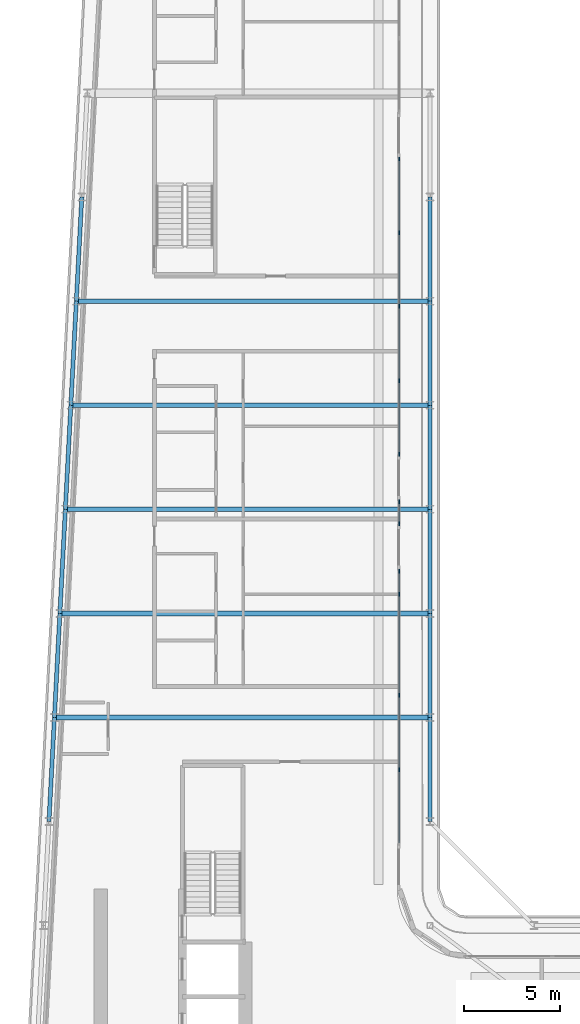
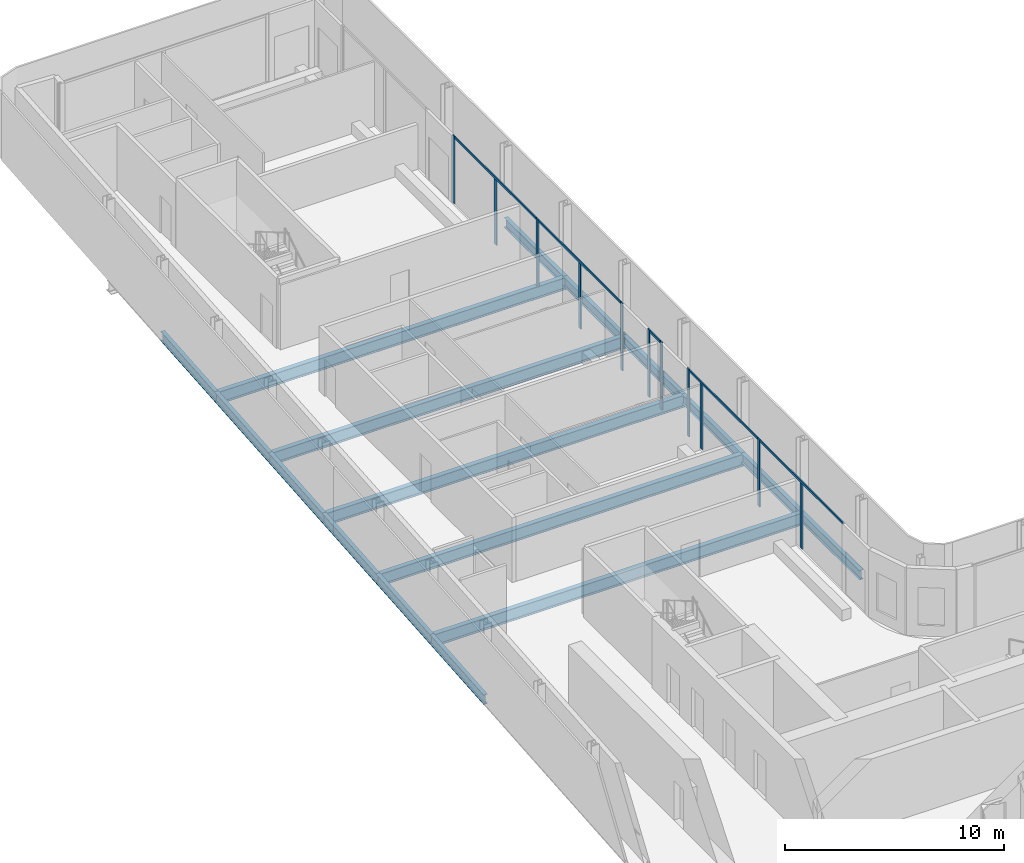
# One storey, part 6 of 22: 17 beams, 16 members, 5 elements without a shape of their own.
"""IFC4 building model written with IfcOpenShell, lengths in metres."""

from ifc_helpers import new_model, si_unit, direction, frame, origin, origin_2d, place, context, subcontext, project, spatial, rectangle, i_section, extrude, material, layer, layer_set, material_profile, profile_set, type_object, element, aggregate, save


model = new_model("IFC4")

# Units and contexts
model_context = context("Model", 3, precision=1e-05, world=origin(), true_north=direction((0.0, 1.0)))
body_context = subcontext(model_context, "Body", "Model", "MODEL_VIEW")
ifc_project = project(units=[si_unit("LENGTHUNIT", "METRE"), si_unit("AREAUNIT", "SQUARE_METRE"), si_unit("VOLUMEUNIT", "CUBIC_METRE"), si_unit("PLANEANGLEUNIT", "RADIAN"), si_unit("MASSUNIT", "GRAM", prefix="KILO")], contexts=[model_context])

# Site, building, storey
site_placement = place(None, origin())
site = spatial("IfcSite", under=ifc_project, at=site_placement, CompositionType="ELEMENT")
building_placement = place(site_placement, origin())
building = spatial("IfcBuilding", under=site, at=building_placement, Name="Kheshtan School and Residences Tower", CompositionType="ELEMENT")
storey_placement = place(building_placement, frame((0.0, 0.0, 255.199951171875)))
storey = spatial("IfcBuildingStorey", under=building, at=storey_placement, Name="L60", CompositionType="ELEMENT", Elevation=255.199951171875)

# Beams
ifc_material_1 = material(Name="Steel ASTM A992 Grade 50", Category="steel")
ifc_material_profile_1 = material_profile(ifc_material_1, i_section(OverallWidth=0.2529296875, OverallDepth=0.677978515625, WebThickness=0.01171875, FlangeThickness=0.016357421875, FilletRadius=0.0146484375, at=origin_2d()), Name="W690x125")
ifc_profile_set_1 = profile_set([ifc_material_profile_1], Name="Steel ASTM A992 Grade 50")
beam_type_1 = type_object("IfcBeamType", Name="Beam FB6 W690x125 ASTM A992 Grade 50", PredefinedType="BEAM", material=ifc_profile_set_1)
beam_1_placement = place(storey_placement, frame((47.60009765625, 78.0, -0.489013671875), z_axis=(-1.0, 0.0, 0.0), x_axis=(0.0, -1.0, 0.0)))
element("IfcBeam", 1, at=beam_1_placement, inside=storey, type_object=beam_type_1, Name="Floor beam C089", PredefinedType="BEAM", context=body_context, shape_type="SweptSolid", body=[
    extrude(i_section(OverallWidth=0.2529296875, OverallDepth=0.677978515625, WebThickness=0.01171875, FlangeThickness=0.016357421875, FilletRadius=0.0146484375, at=origin_2d()), origin(), (0.0, 0.0, 1.0), 18.357177734375),
])
beam_2_placement = place(storey_placement, frame((47.60009765625, 67.199951171875, -0.489013671875), z_axis=(-1.0, 0.0, 0.0), x_axis=(0.0, -1.0, 0.0)))
element("IfcBeam", 2, at=beam_2_placement, inside=storey, type_object=beam_type_1, Name="Floor beam C085", PredefinedType="BEAM", context=body_context, shape_type="SweptSolid", body=[
    extrude(i_section(OverallWidth=0.2529296875, OverallDepth=0.677978515625, WebThickness=0.01171875, FlangeThickness=0.016357421875, FilletRadius=0.0146484375, at=origin_2d()), origin(), (0.0, 0.0, 1.0), 18.926025390625),
])
beam_3_placement = place(storey_placement, frame((47.60009765625, 56.39990234375, -0.489013671875), z_axis=(-1.0, 0.0, 0.0), x_axis=(0.0, -1.0, 0.0)))
element("IfcBeam", 3, at=beam_3_placement, inside=storey, type_object=beam_type_1, Name="Floor beam C081", PredefinedType="BEAM", context=body_context, shape_type="SweptSolid", body=[
    extrude(i_section(OverallWidth=0.2529296875, OverallDepth=0.677978515625, WebThickness=0.01171875, FlangeThickness=0.016357421875, FilletRadius=0.0146484375, at=origin_2d()), origin(), (0.0, 0.0, 1.0), 19.494140625),
])
beam_4_placement = place(storey_placement, frame((28.389892578125, 61.800048828125, -0.489013671875), z_axis=(1.0, 0.0, 0.0), x_axis=(0.0, 1.0, 0.0)))
element("IfcBeam", 4, at=beam_4_placement, inside=storey, type_object=beam_type_1, Name="Floor beam C082", PredefinedType="BEAM", context=body_context, shape_type="SweptSolid", body=[
    extrude(i_section(OverallWidth=0.2529296875, OverallDepth=0.677978515625, WebThickness=0.01171875, FlangeThickness=0.016357421875, FilletRadius=0.0146484375, at=origin_2d()), origin(), (0.0, 0.0, 1.0), 19.210205078125),
])
beam_5_placement = place(storey_placement, frame((28.9580078125, 72.60009765625, -0.489013671875), z_axis=(1.0, 0.0, 0.0), x_axis=(0.0, 1.0, 0.0)))
element("IfcBeam", 5, at=beam_5_placement, inside=storey, type_object=beam_type_1, Name="Floor beam C086", PredefinedType="BEAM", context=body_context, shape_type="SweptSolid", body=[
    extrude(i_section(OverallWidth=0.2529296875, OverallDepth=0.677978515625, WebThickness=0.01171875, FlangeThickness=0.016357421875, FilletRadius=0.0146484375, at=origin_2d()), origin(), (0.0, 0.0, 1.0), 18.64208984375),
])
ifc_material_profile_2 = material_profile(ifc_material_1, i_section(OverallWidth=0.208984375, OverallDepth=0.532958984375, WebThickness=0.01025390625, FlangeThickness=0.015625, FilletRadius=0.013916015625, at=origin_2d()), Name="W530x92")
ifc_profile_set_2 = profile_set([ifc_material_profile_2], Name="Steel ASTM A992 Grade 50")
beam_type_2 = type_object("IfcBeamType", Name="Beam SP3 W530x92 ASTM A992 Grade 50", PredefinedType="BEAM", material=ifc_profile_set_2)
for number, where, z_axis, x_axis, name in (
    (6, (47.60009765625, 83.39990234375, -0.41650390625), (0.0, -1.0, 0.0), (1.0, 0.0, 0.0), "Spandrel beam C091-C089"),
    (7, (47.60009765625, 78.0, -0.41650390625), (0.0, -1.0, 0.0), (1.0, 0.0, 0.0), "Spandrel beam C089-C087"),
):
    element("IfcBeam", number, at=place(storey_placement, frame(where, z_axis=z_axis, x_axis=x_axis)), inside=storey, type_object=beam_type_2, Name=name, PredefinedType="BEAM", context=body_context, shape_type="SweptSolid", body=[
        extrude(i_section(OverallWidth=0.208984375, OverallDepth=0.532958984375, WebThickness=0.01025390625, FlangeThickness=0.015625, FilletRadius=0.013916015625, at=origin_2d()), origin(), (0.0, 0.0, 1.0), 5.39990234375),
    ])
beam_6_placement = place(storey_placement, frame((47.60009765625, 72.60009765625, -0.41650390625), z_axis=(0.0, -1.0, 0.0), x_axis=(1.0, 0.0, 0.0)))
element("IfcBeam", 8, at=beam_6_placement, inside=storey, type_object=beam_type_2, Name="Spandrel beam C087-C085", PredefinedType="BEAM", context=body_context, shape_type="SweptSolid", body=[
    extrude(i_section(OverallWidth=0.208984375, OverallDepth=0.532958984375, WebThickness=0.01025390625, FlangeThickness=0.015625, FilletRadius=0.013916015625, at=origin_2d()), origin(), (0.0, 0.0, 1.0), 5.400146484375),
])
beam_7_placement = place(storey_placement, frame((47.60009765625, 67.199951171875, -0.41650390625), z_axis=(0.0, -1.0, 0.0), x_axis=(1.0, 0.0, 0.0)))
element("IfcBeam", 9, at=beam_7_placement, inside=storey, type_object=beam_type_2, Name="Spandrel beam C085-C083", PredefinedType="BEAM", context=body_context, shape_type="SweptSolid", body=[
    extrude(i_section(OverallWidth=0.208984375, OverallDepth=0.532958984375, WebThickness=0.01025390625, FlangeThickness=0.015625, FilletRadius=0.013916015625, at=origin_2d()), origin(), (0.0, 0.0, 1.0), 5.39990234375),
])
beam_8_placement = place(storey_placement, frame((47.60009765625, 61.800048828125, -0.41650390625), z_axis=(0.0, -1.0, 0.0), x_axis=(1.0, 0.0, 0.0)))
element("IfcBeam", 10, at=beam_8_placement, inside=storey, type_object=beam_type_2, Name="Spandrel beam C083-C081", PredefinedType="BEAM", context=body_context, shape_type="SweptSolid", body=[
    extrude(i_section(OverallWidth=0.208984375, OverallDepth=0.532958984375, WebThickness=0.01025390625, FlangeThickness=0.015625, FilletRadius=0.013916015625, at=origin_2d()), origin(), (0.0, 0.0, 1.0), 5.400146484375),
])
beam_9_placement = place(storey_placement, frame((47.60009765625, 56.39990234375, -0.41650390625), z_axis=(0.0, -1.0, 0.0), x_axis=(1.0, 0.0, 0.0)))
element("IfcBeam", 11, at=beam_9_placement, inside=storey, type_object=beam_type_2, Name="Spandrel beam C081-C079", PredefinedType="BEAM", context=body_context, shape_type="SweptSolid", body=[
    extrude(i_section(OverallWidth=0.208984375, OverallDepth=0.532958984375, WebThickness=0.01025390625, FlangeThickness=0.015625, FilletRadius=0.013916015625, at=origin_2d()), origin(), (0.0, 0.0, 1.0), 5.39990234375),
])
beam_10_placement = place(storey_placement, frame((27.822021484375, 51.0, -0.41650390625), z_axis=(0.05250906864, 0.998620447272, 0.0), x_axis=(-0.998620447272, 0.05250906864, 0.0)))
element("IfcBeam", 12, at=beam_10_placement, inside=storey, type_object=beam_type_2, Name="Spandrel beam C078-C080", PredefinedType="BEAM", context=body_context, shape_type="SweptSolid", body=[
    extrude(i_section(OverallWidth=0.208984375, OverallDepth=0.532958984375, WebThickness=0.01025390625, FlangeThickness=0.015625, FilletRadius=0.013916015625, at=origin_2d()), origin(), (0.0, 0.0, 1.0), 5.407470703125),
])
beam_11_placement = place(storey_placement, frame((28.10595703125, 56.39990234375, -0.41650390625), z_axis=(0.05250670125, 0.998620571751, 0.0), x_axis=(-0.998620571751, 0.05250670125, 0.0)))
element("IfcBeam", 13, at=beam_11_placement, inside=storey, type_object=beam_type_2, Name="Spandrel beam C080-C082", PredefinedType="BEAM", context=body_context, shape_type="SweptSolid", body=[
    extrude(i_section(OverallWidth=0.208984375, OverallDepth=0.532958984375, WebThickness=0.01025390625, FlangeThickness=0.015625, FilletRadius=0.013916015625, at=origin_2d()), origin(), (0.0, 0.0, 1.0), 5.40771484375),
])
beam_12_placement = place(storey_placement, frame((28.389892578125, 61.800048828125, -0.41650390625), z_axis=(0.052554093665, 0.998618078766, 0.0), x_axis=(-0.998618078766, 0.052554093665, 0.0)))
element("IfcBeam", 14, at=beam_12_placement, inside=storey, type_object=beam_type_2, Name="Spandrel beam C082-C084", PredefinedType="BEAM", context=body_context, shape_type="SweptSolid", body=[
    extrude(i_section(OverallWidth=0.208984375, OverallDepth=0.532958984375, WebThickness=0.01025390625, FlangeThickness=0.015625, FilletRadius=0.013916015625, at=origin_2d()), origin(), (0.0, 0.0, 1.0), 5.407470703125),
])
beam_13_placement = place(storey_placement, frame((28.674072265625, 67.199951171875, -0.41650390625), z_axis=(0.05250670125, 0.998620571751, 0.0), x_axis=(-0.998620571751, 0.05250670125, 0.0)))
element("IfcBeam", 15, at=beam_13_placement, inside=storey, type_object=beam_type_2, Name="Spandrel beam C084-C086", PredefinedType="BEAM", context=body_context, shape_type="SweptSolid", body=[
    extrude(i_section(OverallWidth=0.208984375, OverallDepth=0.532958984375, WebThickness=0.01025390625, FlangeThickness=0.015625, FilletRadius=0.013916015625, at=origin_2d()), origin(), (0.0, 0.0, 1.0), 5.40771484375),
])
for number, where, z_axis, x_axis, name in (
    (16, (28.9580078125, 72.60009765625, -0.41650390625), (0.052689166816, 0.998610961136, 0.0), (-0.998610961136, 0.052689166816, 0.0), "Spandrel beam C086-C088"),
    (17, (29.242919921875, 78.0, -0.41650390625), (0.052554093665, 0.998618078766, 0.0), (-0.998618078766, 0.052554093665, 0.0), "Spandrel beam C088-C090"),
):
    element("IfcBeam", number, at=place(storey_placement, frame(where, z_axis=z_axis, x_axis=x_axis)), inside=storey, type_object=beam_type_2, Name=name, PredefinedType="BEAM", context=body_context, shape_type="SweptSolid", body=[
        extrude(i_section(OverallWidth=0.208984375, OverallDepth=0.532958984375, WebThickness=0.01025390625, FlangeThickness=0.015625, FilletRadius=0.013916015625, at=origin_2d()), origin(), (0.0, 0.0, 1.0), 5.407470703125),
    ])

# Curtain wall, members
ifc_material_2 = material(Name="Clear low-e glass in thermally broken aluminium frame", Category="aluminium")
ifc_layer = layer(ifc_material_2, 0.199951171875)
ifc_layer_set = layer_set([ifc_layer], Name="Curtain wall CW-L")
curtain_wall_type = type_object("IfcCurtainWallType", Name="Curtain wall CW-L", PredefinedType="NOTDEFINED", material=ifc_layer_set)
curtain_wall_1_placement = place(storey_placement, origin())
curtain_wall_1 = element("IfcCurtainWall", 18, at=curtain_wall_1_placement, inside=storey, type_object=curtain_wall_type, Name="Curtain wall CWL8", PredefinedType="NOTDEFINED")
ifc_material_3 = material(Name="Thermally broken aluminium, dark bronze anodised", Category="aluminium")
ifc_material_profile_3 = material_profile(ifc_material_3, rectangle(XDim=0.06005859375, YDim=0.199951171875, at=origin_2d()), Name="CW-L mullion 60x200")
ifc_profile_set_3 = profile_set([ifc_material_profile_3], Name="Thermally broken aluminium, dark bronze anodised")
member_type_1 = type_object("IfcMemberType", Name="CW-L mullion 60x200", PredefinedType="MULLION", material=ifc_profile_set_3)
member_1_placement = place(storey_placement, frame((46.0, 85.3759765625, 0.0), z_axis=(0.0, 0.0, 1.0), x_axis=(1.0, 0.0, 0.0)))
member_1 = element("IfcMember", 19, at=member_1_placement, type_object=member_type_1, Name="CWL8 mullion 1", PredefinedType="MULLION", context=body_context, shape_type="SweptSolid", body=[
    extrude(rectangle(XDim=0.06005859375, YDim=0.199951171875, at=origin_2d()), origin(), (0.0, 0.0, 1.0), 3.75),
])
member_2_placement = place(storey_placement, frame((46.0, 81.55908203125, 0.0), z_axis=(0.0, 0.0, 1.0), x_axis=(1.0, 0.0, 0.0)))
member_2 = element("IfcMember", 20, at=member_2_placement, type_object=member_type_1, Name="CWL8 mullion 2", PredefinedType="MULLION", context=body_context, shape_type="SweptSolid", body=[
    extrude(rectangle(XDim=0.06005859375, YDim=0.199951171875, at=origin_2d()), origin(), (0.0, 0.0, 1.0), 3.630126953125),
])
member_3_placement = place(storey_placement, frame((46.0, 77.741943359375, 0.0), z_axis=(0.0, 0.0, 1.0), x_axis=(1.0, 0.0, 0.0)))
member_3 = element("IfcMember", 21, at=member_3_placement, type_object=member_type_1, Name="CWL8 mullion 3", PredefinedType="MULLION", context=body_context, shape_type="SweptSolid", body=[
    extrude(rectangle(XDim=0.06005859375, YDim=0.199951171875, at=origin_2d()), origin(), (0.0, 0.0, 1.0), 3.75),
])

curtain_wall_2_placement = place(storey_placement, origin())
curtain_wall_2 = element("IfcCurtainWall", 22, at=curtain_wall_2_placement, inside=storey, type_object=curtain_wall_type, Name="Curtain wall CWL8", PredefinedType="NOTDEFINED")
member_4_placement = place(storey_placement, frame((46.0, 73.864990234375, 0.0), z_axis=(0.0, 0.0, 1.0), x_axis=(1.0, 0.0, 0.0)))
member_4 = element("IfcMember", 23, at=member_4_placement, type_object=member_type_1, Name="CWL8 mullion 2", PredefinedType="MULLION", context=body_context, shape_type="SweptSolid", body=[
    extrude(rectangle(XDim=0.06005859375, YDim=0.199951171875, at=origin_2d()), origin(), (0.0, 0.0, 1.0), 3.630126953125),
])
member_5_placement = place(storey_placement, frame((46.0, 70.048095703125, 0.0), z_axis=(0.0, 0.0, 1.0), x_axis=(1.0, 0.0, 0.0)))
member_5 = element("IfcMember", 24, at=member_5_placement, type_object=member_type_1, Name="CWL8 mullion 3", PredefinedType="MULLION", context=body_context, shape_type="SweptSolid", body=[
    extrude(rectangle(XDim=0.06005859375, YDim=0.199951171875, at=origin_2d()), origin(), (0.0, 0.0, 1.0), 3.75),
])

curtain_wall_3_placement = place(storey_placement, origin())
curtain_wall_3 = element("IfcCurtainWall", 25, at=curtain_wall_3_placement, inside=storey, type_object=curtain_wall_type, Name="Curtain wall CWL8g", PredefinedType="NOTDEFINED")
member_6_placement = place(storey_placement, frame((46.0, 67.587890625, 0.0), z_axis=(0.0, 0.0, 1.0), x_axis=(1.0, 0.0, 0.0)))
member_6 = element("IfcMember", 26, at=member_6_placement, type_object=member_type_1, Name="CWL8g mullion 1", PredefinedType="MULLION", context=body_context, shape_type="SweptSolid", body=[
    extrude(rectangle(XDim=0.06005859375, YDim=0.199951171875, at=origin_2d()), origin(), (0.0, 0.0, 1.0), 3.75),
])
member_7_placement = place(storey_placement, frame((46.0, 66.447998046875, 0.0), z_axis=(0.0, 0.0, 1.0), x_axis=(1.0, 0.0, 0.0)))
member_7 = element("IfcMember", 27, at=member_7_placement, type_object=member_type_1, Name="CWL8g mullion 2", PredefinedType="MULLION", context=body_context, shape_type="SweptSolid", body=[
    extrude(rectangle(XDim=0.06005859375, YDim=0.199951171875, at=origin_2d()), origin(), (0.0, 0.0, 1.0), 3.75),
])

curtain_wall_4_placement = place(storey_placement, origin())
curtain_wall_4 = element("IfcCurtainWall", 28, at=curtain_wall_4_placement, inside=storey, type_object=curtain_wall_type, Name="Curtain wall CWL8k", PredefinedType="NOTDEFINED")
member_8_placement = place(storey_placement, frame((46.0, 63.988037109375, 0.0), z_axis=(0.0, 0.0, 1.0), x_axis=(1.0, 0.0, 0.0)))
member_8 = element("IfcMember", 29, at=member_8_placement, type_object=member_type_1, Name="CWL8k mullion 1", PredefinedType="MULLION", context=body_context, shape_type="SweptSolid", body=[
    extrude(rectangle(XDim=0.06005859375, YDim=0.199951171875, at=origin_2d()), origin(), (0.0, 0.0, 1.0), 3.75),
])
member_9_placement = place(storey_placement, frame((46.0, 62.800048828125, 0.0), z_axis=(0.0, 0.0, 1.0), x_axis=(1.0, 0.0, 0.0)))
member_9 = element("IfcMember", 30, at=member_9_placement, type_object=member_type_1, Name="CWL8k mullion 2", PredefinedType="MULLION", context=body_context, shape_type="SweptSolid", body=[
    extrude(rectangle(XDim=0.06005859375, YDim=0.199951171875, at=origin_2d()), origin(), (0.0, 0.0, 1.0), 3.630126953125),
])
member_10_placement = place(storey_placement, frame((46.0, 57.553955078125, 0.0), z_axis=(0.0, 0.0, 1.0), x_axis=(1.0, 0.0, 0.0)))
member_10 = element("IfcMember", 31, at=member_10_placement, type_object=member_type_1, Name="CWL8k mullion 3", PredefinedType="MULLION", context=body_context, shape_type="SweptSolid", body=[
    extrude(rectangle(XDim=0.06005859375, YDim=0.199951171875, at=origin_2d()), origin(), (0.0, 0.0, 1.0), 3.75),
])

# Curtain wall, member
curtain_wall_5_placement = place(storey_placement, origin())
curtain_wall_5 = element("IfcCurtainWall", 32, at=curtain_wall_5_placement, inside=storey, type_object=curtain_wall_type, Name="Curtain wall CWL8", PredefinedType="NOTDEFINED")
member_11_placement = place(storey_placement, frame((46.0, 53.677001953125, 0.0), z_axis=(0.0, 0.0, 1.0), x_axis=(1.0, 0.0, 0.0)))
member_11 = element("IfcMember", 33, at=member_11_placement, type_object=member_type_1, Name="CWL8 mullion 2", PredefinedType="MULLION", context=body_context, shape_type="SweptSolid", body=[
    extrude(rectangle(XDim=0.06005859375, YDim=0.199951171875, at=origin_2d()), origin(), (0.0, 0.0, 1.0), 3.630126953125),
])

# Member
ifc_material_profile_4 = material_profile(ifc_material_3, rectangle(XDim=0.06005859375, YDim=0.1201171875, at=origin_2d()), Name="CW-L transom 60x120")
ifc_profile_set_4 = profile_set([ifc_material_profile_4], Name="Thermally broken aluminium, dark bronze anodised")
member_type_2 = type_object("IfcMemberType", Name="CW-L transom 60x120", PredefinedType="USERDEFINED", material=ifc_profile_set_4)
member_12_placement = place(storey_placement, frame((46.0, 85.345947265625, 3.68994140625), z_axis=(0.0, -1.0, 0.0), x_axis=(1.0, 0.0, 0.0)))
member_12 = element("IfcMember", 34, at=member_12_placement, type_object=member_type_2, Name="CWL8 transom 1", ObjectType="TRANSOM", PredefinedType="USERDEFINED", context=body_context, shape_type="SweptSolid", body=[
    extrude(rectangle(XDim=0.06005859375, YDim=0.1201171875, at=origin_2d()), origin(), (0.0, 0.0, 1.0), 7.573974609375),
])

aggregate(curtain_wall_1, [member_1, member_2, member_3, member_12])

member_13_placement = place(storey_placement, frame((46.0, 77.7119140625, 3.68994140625), z_axis=(0.0, -1.0, 0.0), x_axis=(1.0, 0.0, 0.0)))
member_13 = element("IfcMember", 35, at=member_13_placement, type_object=member_type_2, Name="CWL8 transom 1", ObjectType="TRANSOM", PredefinedType="USERDEFINED", context=body_context, shape_type="SweptSolid", body=[
    extrude(rectangle(XDim=0.06005859375, YDim=0.1201171875, at=origin_2d()), origin(), (0.0, 0.0, 1.0), 7.634033203125),
])

aggregate(curtain_wall_2, [member_4, member_5, member_13])

member_14_placement = place(storey_placement, frame((46.0, 67.55810546875, 3.68994140625), z_axis=(0.0, -1.0, 0.0), x_axis=(1.0, 0.0, 0.0)))
member_14 = element("IfcMember", 36, at=member_14_placement, type_object=member_type_2, Name="CWL8g transom 1", ObjectType="TRANSOM", PredefinedType="USERDEFINED", context=body_context, shape_type="SweptSolid", body=[
    extrude(rectangle(XDim=0.06005859375, YDim=0.1201171875, at=origin_2d()), origin(), (0.0, 0.0, 1.0), 1.080078125),
])

aggregate(curtain_wall_3, [member_6, member_7, member_14])

member_15_placement = place(storey_placement, frame((46.0, 63.9580078125, 3.68994140625), z_axis=(0.0, -1.0, 0.0), x_axis=(1.0, 0.0, 0.0)))
member_15 = element("IfcMember", 37, at=member_15_placement, type_object=member_type_2, Name="CWL8k transom 1", ObjectType="TRANSOM", PredefinedType="USERDEFINED", context=body_context, shape_type="SweptSolid", body=[
    extrude(rectangle(XDim=0.06005859375, YDim=0.1201171875, at=origin_2d()), origin(), (0.0, 0.0, 1.0), 6.3740234375),
])

aggregate(curtain_wall_4, [member_8, member_9, member_10, member_15])

member_16_placement = place(storey_placement, frame((46.0, 57.52392578125, 3.68994140625), z_axis=(0.0, -1.0, 0.0), x_axis=(1.0, 0.0, 0.0)))
member_16 = element("IfcMember", 38, at=member_16_placement, type_object=member_type_2, Name="CWL8 transom 1", ObjectType="TRANSOM", PredefinedType="USERDEFINED", context=body_context, shape_type="SweptSolid", body=[
    extrude(rectangle(XDim=0.06005859375, YDim=0.1201171875, at=origin_2d()), origin(), (0.0, 0.0, 1.0), 7.634033203125),
])

aggregate(curtain_wall_5, [member_11, member_16])

save(model, "model.ifc")
